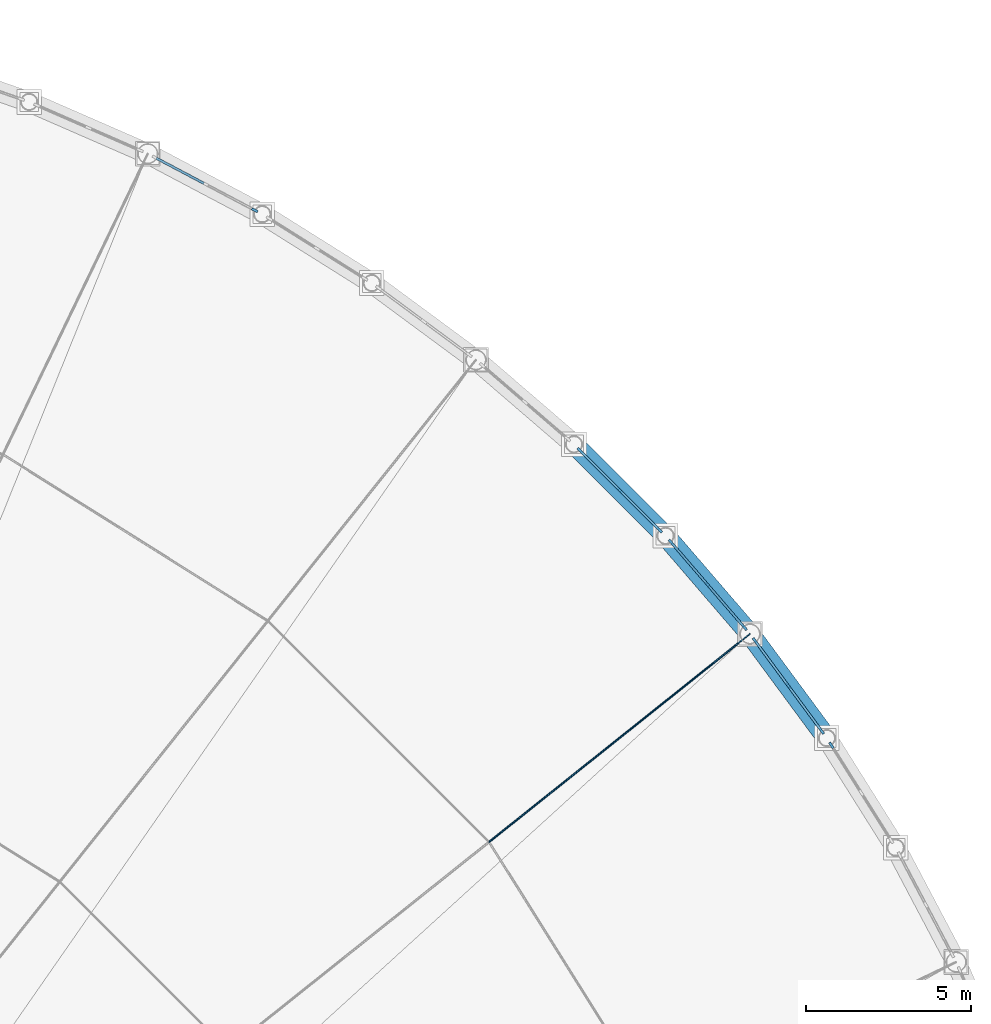
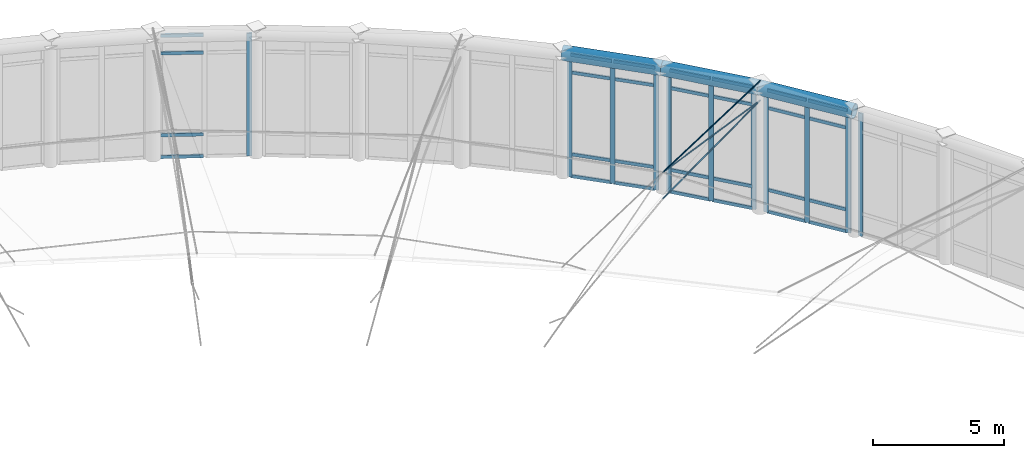
# One storey, part 61 of 101: 42 members, 3 beams, 5 elements without a shape of their own.
"""IFC4 building model written with IfcOpenShell, lengths in metres."""

from ifc_helpers import new_model, si_unit, direction, frame, origin, origin_2d, place, context, subcontext, project, spatial, rectangle, circle, hollow_circle, extrude, material, layer, layer_set, material_profile, profile_set, type_object, element, aggregate, save


model = new_model("IFC4")

# Units and contexts
model_context = context("Model", 3, precision=1e-05, world=origin(), true_north=direction((0.0, 1.0)))
body_context = subcontext(model_context, "Body", "Model", "MODEL_VIEW")
ifc_project = project(units=[si_unit("LENGTHUNIT", "METRE"), si_unit("AREAUNIT", "SQUARE_METRE"), si_unit("VOLUMEUNIT", "CUBIC_METRE"), si_unit("PLANEANGLEUNIT", "RADIAN"), si_unit("MASSUNIT", "GRAM", prefix="KILO"), si_unit("THERMODYNAMICTEMPERATUREUNIT", "KELVIN"), si_unit("POWERUNIT", "WATT")], contexts=[model_context])

# Site, building, storey
site_placement = place(None, origin())
site = spatial("IfcSite", under=ifc_project, at=site_placement, CompositionType="ELEMENT")
building_placement = place(site_placement, origin())
building = spatial("IfcBuilding", under=site, at=building_placement, Name="Tembeka Court Mobility Hub", CompositionType="ELEMENT")
storey_placement = place(building_placement, frame((0.0, 0.0, 5.39990234375)))
storey = spatial("IfcBuildingStorey", under=building, at=storey_placement, Name="L01", CompositionType="ELEMENT", Elevation=5.39990234375)

# Beams
ifc_material_1 = material(Name="Steel S355", Category="steel")
ifc_material_profile_1 = material_profile(ifc_material_1, hollow_circle(Radius=0.304931640625, WallThickness=0.02001953125, at=origin_2d()), Name="CHS 610x20")
ifc_profile_set_1 = profile_set([ifc_material_profile_1], Name="Steel S355")
beam_type = type_object("IfcBeamType", Name="BM-RB01", PredefinedType="BEAM", material=ifc_profile_set_1)
for number, where, z_axis, x_axis, name in (
    (1, (167.277587890625, 95.874267578125, 5.695068359375), (-0.593803415003, 0.804610156741, 0.0), (-0.804610156741, -0.593803415003, 0.0), "Concourse compression ring beam RB01-09"),
    (2, (164.9462890625, 99.033203125, 5.695068359375), (-0.652305893022, 0.757955817926, 0.0), (-0.757955817926, -0.652305893022, 0.0), "Concourse compression ring beam RB01-10"),
    (3, (162.38525390625, 102.009033203125, 5.695068359375), (-0.707106781187, 0.707106781187, 0.0), (-0.707106781187, -0.707106781187, 0.0), "Concourse compression ring beam RB01-11"),
):
    element("IfcBeam", number, at=place(storey_placement, frame(where, z_axis=z_axis, x_axis=x_axis)), inside=storey, type_object=beam_type, Name=name, PredefinedType="BEAM", context=body_context, shape_type="SweptSolid", body=[
        extrude(hollow_circle(Radius=0.304931640625, WallThickness=0.02001953125, at=origin_2d()), origin(), (0.0, 0.0, 1.0), 3.926025390625),
    ])

# Curtain wall, member
ifc_material_2 = material(Name="Anodised aluminium 6063-T6", Category="aluminium")
ifc_layer = layer(ifc_material_2, 0.199951171875)
ifc_layer_set = layer_set([ifc_layer], Name="Anodised aluminium 6063-T6")
curtain_wall_type = type_object("IfcCurtainWallType", Name="CW-SYS25", PredefinedType="USERDEFINED", material=ifc_layer_set)
curtain_wall_1_placement = place(storey_placement, origin())
curtain_wall_1 = element("IfcCurtainWall", 4, at=curtain_wall_1_placement, inside=storey, type_object=curtain_wall_type, Name="Unitised curtain wall CW25 (CW-L01-058)", ObjectType="UNITISED GLAZING", PredefinedType="USERDEFINED")
ifc_material_profile_2 = material_profile(ifc_material_2, rectangle(XDim=0.074951171875, YDim=0.199951171875, at=origin_2d()), Name="ALU-MUL 75x200")
ifc_profile_set_2 = profile_set([ifc_material_profile_2], Name="Anodised aluminium 6063-T6")
member_type_1 = type_object("IfcMemberType", Name="CW-MUL02", PredefinedType="MULLION", material=ifc_profile_set_2)
member_1_placement = place(storey_placement, frame((167.41455078125, 95.65625, 0.0), z_axis=(0.0, 0.0, 1.0), x_axis=(-0.846708179607, -0.532057570744, 0.0)))
member_1 = element("IfcMember", 5, at=member_1_placement, type_object=member_type_1, Name="CW25 mullion 3", PredefinedType="MULLION", context=body_context, shape_type="SweptSolid", body=[
    extrude(rectangle(XDim=0.074951171875, YDim=0.199951171875, at=origin_2d()), origin(), (0.0, 0.0, 1.0), 5.7001953125),
])
aggregate(curtain_wall_1, [member_1])

# Curtain wall, members
curtain_wall_2_placement = place(storey_placement, origin())
curtain_wall_2 = element("IfcCurtainWall", 6, at=curtain_wall_2_placement, inside=storey, type_object=curtain_wall_type, Name="Unitised curtain wall CW25 (CW-L01-060)", ObjectType="UNITISED GLAZING", PredefinedType="USERDEFINED")
member_2_placement = place(storey_placement, frame((167.12451171875, 96.08154296875, 0.0), z_axis=(0.0, 0.0, 1.0), x_axis=(-0.804599206298, -0.593818252688, 0.0)))
member_2 = element("IfcMember", 7, at=member_2_placement, type_object=member_type_1, Name="CW25 mullion 1", PredefinedType="MULLION", context=body_context, shape_type="SweptSolid", body=[
    extrude(rectangle(XDim=0.074951171875, YDim=0.199951171875, at=origin_2d()), origin(), (0.0, 0.0, 1.0), 5.7001953125),
])
member_3_placement = place(storey_placement, frame((166.11181640625, 97.453857421875, 0.0), z_axis=(0.0, 0.0, 1.0), x_axis=(-0.804599206298, -0.593818252688, 0.0)))
member_3 = element("IfcMember", 8, at=member_3_placement, type_object=member_type_1, Name="CW25 mullion 2", PredefinedType="MULLION", context=body_context, shape_type="SweptSolid", body=[
    extrude(rectangle(XDim=0.074951171875, YDim=0.199951171875, at=origin_2d()), origin(), (0.0, 0.0, 1.0), 5.7001953125),
])
member_4_placement = place(storey_placement, frame((165.09912109375, 98.825927734375, 0.0), z_axis=(0.0, 0.0, 1.0), x_axis=(-0.804599206298, -0.593818252688, 0.0)))
member_4 = element("IfcMember", 9, at=member_4_placement, type_object=member_type_1, Name="CW25 mullion 3", PredefinedType="MULLION", context=body_context, shape_type="SweptSolid", body=[
    extrude(rectangle(XDim=0.074951171875, YDim=0.199951171875, at=origin_2d()), origin(), (0.0, 0.0, 1.0), 5.7001953125),
])

curtain_wall_3_placement = place(storey_placement, origin())
curtain_wall_3 = element("IfcCurtainWall", 10, at=curtain_wall_3_placement, inside=storey, type_object=curtain_wall_type, Name="Unitised curtain wall CW25 (CW-L01-062)", ObjectType="UNITISED GLAZING", PredefinedType="USERDEFINED")
member_5_placement = place(storey_placement, frame((164.7783203125, 99.228515625, 0.0), z_axis=(0.0, 0.0, 1.0), x_axis=(-0.757955131428, -0.652306690707, 0.0)))
member_5 = element("IfcMember", 11, at=member_5_placement, type_object=member_type_1, Name="CW25 mullion 1", PredefinedType="MULLION", context=body_context, shape_type="SweptSolid", body=[
    extrude(rectangle(XDim=0.074951171875, YDim=0.199951171875, at=origin_2d()), origin(), (0.0, 0.0, 1.0), 5.7001953125),
])
member_6_placement = place(storey_placement, frame((163.665771484375, 100.521240234375, 0.0), z_axis=(0.0, 0.0, 1.0), x_axis=(-0.757955131428, -0.652306690707, 0.0)))
member_6 = element("IfcMember", 12, at=member_6_placement, type_object=member_type_1, Name="CW25 mullion 2", PredefinedType="MULLION", context=body_context, shape_type="SweptSolid", body=[
    extrude(rectangle(XDim=0.074951171875, YDim=0.199951171875, at=origin_2d()), origin(), (0.0, 0.0, 1.0), 5.7001953125),
])
member_7_placement = place(storey_placement, frame((162.55322265625, 101.81396484375, 0.0), z_axis=(0.0, 0.0, 1.0), x_axis=(-0.757955131428, -0.652306690707, 0.0)))
member_7 = element("IfcMember", 13, at=member_7_placement, type_object=member_type_1, Name="CW25 mullion 3", PredefinedType="MULLION", context=body_context, shape_type="SweptSolid", body=[
    extrude(rectangle(XDim=0.074951171875, YDim=0.199951171875, at=origin_2d()), origin(), (0.0, 0.0, 1.0), 5.7001953125),
])

curtain_wall_4_placement = place(storey_placement, origin())
curtain_wall_4 = element("IfcCurtainWall", 14, at=curtain_wall_4_placement, inside=storey, type_object=curtain_wall_type, Name="Unitised curtain wall CW25 (CW-L01-064)", ObjectType="UNITISED GLAZING", PredefinedType="USERDEFINED")
member_8_placement = place(storey_placement, frame((162.203125, 102.191162109375, 0.0), z_axis=(0.0, 0.0, 1.0), x_axis=(-0.707106781187, -0.707106781187, 0.0)))
member_8 = element("IfcMember", 15, at=member_8_placement, type_object=member_type_1, Name="CW25 mullion 1", PredefinedType="MULLION", context=body_context, shape_type="SweptSolid", body=[
    extrude(rectangle(XDim=0.074951171875, YDim=0.199951171875, at=origin_2d()), origin(), (0.0, 0.0, 1.0), 5.7001953125),
])
member_9_placement = place(storey_placement, frame((160.9970703125, 103.397216796875, 0.0), z_axis=(0.0, 0.0, 1.0), x_axis=(-0.707106781187, -0.707106781187, 0.0)))
member_9 = element("IfcMember", 16, at=member_9_placement, type_object=member_type_1, Name="CW25 mullion 2", PredefinedType="MULLION", context=body_context, shape_type="SweptSolid", body=[
    extrude(rectangle(XDim=0.074951171875, YDim=0.199951171875, at=origin_2d()), origin(), (0.0, 0.0, 1.0), 5.7001953125),
])
member_10_placement = place(storey_placement, frame((159.791259765625, 104.60302734375, 0.0), z_axis=(0.0, 0.0, 1.0), x_axis=(-0.707106781187, -0.707106781187, 0.0)))
member_10 = element("IfcMember", 17, at=member_10_placement, type_object=member_type_1, Name="CW25 mullion 3", PredefinedType="MULLION", context=body_context, shape_type="SweptSolid", body=[
    extrude(rectangle(XDim=0.074951171875, YDim=0.199951171875, at=origin_2d()), origin(), (0.0, 0.0, 1.0), 5.7001953125),
])

# Curtain wall, member
curtain_wall_5_placement = place(storey_placement, origin())
curtain_wall_5 = element("IfcCurtainWall", 18, at=curtain_wall_5_placement, inside=storey, type_object=curtain_wall_type, Name="Unitised curtain wall CW25 (CW-L01-072)", ObjectType="UNITISED GLAZING", PredefinedType="USERDEFINED")
member_11_placement = place(storey_placement, frame((149.92236328125, 111.88671875, 0.0), z_axis=(0.0, 0.0, 1.0), x_axis=(-0.467282662225, -0.884107976202, 0.0)))
member_11 = element("IfcMember", 19, at=member_11_placement, type_object=member_type_1, Name="CW25 mullion 1", PredefinedType="MULLION", context=body_context, shape_type="SweptSolid", body=[
    extrude(rectangle(XDim=0.074951171875, YDim=0.199951171875, at=origin_2d()), origin(), (0.0, 0.0, 1.0), 5.7001953125),
])

# Member
ifc_material_profile_3 = material_profile(ifc_material_2, rectangle(XDim=0.074951171875, YDim=0.14990234375, at=origin_2d()), Name="ALU-TRN 75x150")
ifc_profile_set_3 = profile_set([ifc_material_profile_3], Name="Anodised aluminium 6063-T6")
member_type_2 = type_object("IfcMemberType", Name="CW-TRN02", PredefinedType="USERDEFINED", material=ifc_profile_set_3)
member_12_placement = place(storey_placement, frame((167.102294921875, 96.111572265625, 0.03759765625), z_axis=(-0.593801527186, 0.804611549949, 0.0), x_axis=(-0.804611549949, -0.593801527186, 0.0)))
member_12 = element("IfcMember", 20, at=member_12_placement, type_object=member_type_2, Name="CW25 transom 1.1", ObjectType="TRANSOM", PredefinedType="USERDEFINED", context=body_context, shape_type="SweptSolid", body=[
    extrude(rectangle(XDim=0.074951171875, YDim=0.14990234375, at=origin_2d()), origin(), (0.0, 0.0, 1.0), 1.630615234375),
])

member_13_placement = place(storey_placement, frame((167.102294921875, 96.111572265625, 1.050048828125), z_axis=(-0.593801527186, 0.804611549949, 0.0), x_axis=(-0.804611549949, -0.593801527186, 0.0)))
member_13 = element("IfcMember", 21, at=member_13_placement, type_object=member_type_2, Name="CW25 transom 1.2", ObjectType="TRANSOM", PredefinedType="USERDEFINED", context=body_context, shape_type="SweptSolid", body=[
    extrude(rectangle(XDim=0.074951171875, YDim=0.14990234375, at=origin_2d()), origin(), (0.0, 0.0, 1.0), 1.630615234375),
])

member_14_placement = place(storey_placement, frame((167.102294921875, 96.111572265625, 4.85009765625), z_axis=(-0.593801527186, 0.804611549949, 0.0), x_axis=(-0.804611549949, -0.593801527186, 0.0)))
member_14 = element("IfcMember", 22, at=member_14_placement, type_object=member_type_2, Name="CW25 transom 1.3", ObjectType="TRANSOM", PredefinedType="USERDEFINED", context=body_context, shape_type="SweptSolid", body=[
    extrude(rectangle(XDim=0.074951171875, YDim=0.14990234375, at=origin_2d()), origin(), (0.0, 0.0, 1.0), 1.630615234375),
])

member_15_placement = place(storey_placement, frame((167.102294921875, 96.111572265625, 5.66259765625), z_axis=(-0.593801527186, 0.804611549949, 0.0), x_axis=(-0.804611549949, -0.593801527186, 0.0)))
member_15 = element("IfcMember", 23, at=member_15_placement, type_object=member_type_2, Name="CW25 transom 1.4", ObjectType="TRANSOM", PredefinedType="USERDEFINED", context=body_context, shape_type="SweptSolid", body=[
    extrude(rectangle(XDim=0.074951171875, YDim=0.14990234375, at=origin_2d()), origin(), (0.0, 0.0, 1.0), 1.630615234375),
])

member_16_placement = place(storey_placement, frame((166.089599609375, 97.48388671875, 0.03759765625), z_axis=(-0.593801527186, 0.804611549949, 0.0), x_axis=(-0.804611549949, -0.593801527186, 0.0)))
member_16 = element("IfcMember", 24, at=member_16_placement, type_object=member_type_2, Name="CW25 transom 2.1", ObjectType="TRANSOM", PredefinedType="USERDEFINED", context=body_context, shape_type="SweptSolid", body=[
    extrude(rectangle(XDim=0.074951171875, YDim=0.14990234375, at=origin_2d()), origin(), (0.0, 0.0, 1.0), 1.630615234375),
])

member_17_placement = place(storey_placement, frame((166.089599609375, 97.48388671875, 1.050048828125), z_axis=(-0.593801527186, 0.804611549949, 0.0), x_axis=(-0.804611549949, -0.593801527186, 0.0)))
member_17 = element("IfcMember", 25, at=member_17_placement, type_object=member_type_2, Name="CW25 transom 2.2", ObjectType="TRANSOM", PredefinedType="USERDEFINED", context=body_context, shape_type="SweptSolid", body=[
    extrude(rectangle(XDim=0.074951171875, YDim=0.14990234375, at=origin_2d()), origin(), (0.0, 0.0, 1.0), 1.630615234375),
])

member_18_placement = place(storey_placement, frame((166.089599609375, 97.48388671875, 4.85009765625), z_axis=(-0.593801527186, 0.804611549949, 0.0), x_axis=(-0.804611549949, -0.593801527186, 0.0)))
member_18 = element("IfcMember", 26, at=member_18_placement, type_object=member_type_2, Name="CW25 transom 2.3", ObjectType="TRANSOM", PredefinedType="USERDEFINED", context=body_context, shape_type="SweptSolid", body=[
    extrude(rectangle(XDim=0.074951171875, YDim=0.14990234375, at=origin_2d()), origin(), (0.0, 0.0, 1.0), 1.630615234375),
])

member_19_placement = place(storey_placement, frame((166.089599609375, 97.48388671875, 5.66259765625), z_axis=(-0.593801527186, 0.804611549949, 0.0), x_axis=(-0.804611549949, -0.593801527186, 0.0)))
member_19 = element("IfcMember", 27, at=member_19_placement, type_object=member_type_2, Name="CW25 transom 2.4", ObjectType="TRANSOM", PredefinedType="USERDEFINED", context=body_context, shape_type="SweptSolid", body=[
    extrude(rectangle(XDim=0.074951171875, YDim=0.14990234375, at=origin_2d()), origin(), (0.0, 0.0, 1.0), 1.630615234375),
])

aggregate(curtain_wall_2, [member_2, member_3, member_4, member_12, member_13, member_14, member_15, member_16, member_17, member_18, member_19])

member_20_placement = place(storey_placement, frame((164.753662109375, 99.2568359375, 0.03759765625), z_axis=(-0.65226992658, 0.757986769594, 0.0), x_axis=(-0.757986769594, -0.65226992658, 0.0)))
member_20 = element("IfcMember", 28, at=member_20_placement, type_object=member_type_2, Name="CW25 transom 1.1", ObjectType="TRANSOM", PredefinedType="USERDEFINED", context=body_context, shape_type="SweptSolid", body=[
    extrude(rectangle(XDim=0.074951171875, YDim=0.14990234375, at=origin_2d()), origin(), (0.0, 0.0, 1.0), 1.63037109375),
])

member_21_placement = place(storey_placement, frame((164.753662109375, 99.2568359375, 1.050048828125), z_axis=(-0.65226992658, 0.757986769594, 0.0), x_axis=(-0.757986769594, -0.65226992658, 0.0)))
member_21 = element("IfcMember", 29, at=member_21_placement, type_object=member_type_2, Name="CW25 transom 1.2", ObjectType="TRANSOM", PredefinedType="USERDEFINED", context=body_context, shape_type="SweptSolid", body=[
    extrude(rectangle(XDim=0.074951171875, YDim=0.14990234375, at=origin_2d()), origin(), (0.0, 0.0, 1.0), 1.63037109375),
])

member_22_placement = place(storey_placement, frame((164.753662109375, 99.2568359375, 4.85009765625), z_axis=(-0.65226992658, 0.757986769594, 0.0), x_axis=(-0.757986769594, -0.65226992658, 0.0)))
member_22 = element("IfcMember", 30, at=member_22_placement, type_object=member_type_2, Name="CW25 transom 1.3", ObjectType="TRANSOM", PredefinedType="USERDEFINED", context=body_context, shape_type="SweptSolid", body=[
    extrude(rectangle(XDim=0.074951171875, YDim=0.14990234375, at=origin_2d()), origin(), (0.0, 0.0, 1.0), 1.63037109375),
])

member_23_placement = place(storey_placement, frame((164.753662109375, 99.2568359375, 5.66259765625), z_axis=(-0.65226992658, 0.757986769594, 0.0), x_axis=(-0.757986769594, -0.65226992658, 0.0)))
member_23 = element("IfcMember", 31, at=member_23_placement, type_object=member_type_2, Name="CW25 transom 1.4", ObjectType="TRANSOM", PredefinedType="USERDEFINED", context=body_context, shape_type="SweptSolid", body=[
    extrude(rectangle(XDim=0.074951171875, YDim=0.14990234375, at=origin_2d()), origin(), (0.0, 0.0, 1.0), 1.63037109375),
])

member_24_placement = place(storey_placement, frame((163.641357421875, 100.549560546875, 0.03759765625), z_axis=(-0.652355946515, 0.757912738412, 0.0), x_axis=(-0.757912738412, -0.652355946515, 0.0)))
member_24 = element("IfcMember", 32, at=member_24_placement, type_object=member_type_2, Name="CW25 transom 2.1", ObjectType="TRANSOM", PredefinedType="USERDEFINED", context=body_context, shape_type="SweptSolid", body=[
    extrude(rectangle(XDim=0.074951171875, YDim=0.14990234375, at=origin_2d()), origin(), (0.0, 0.0, 1.0), 1.630615234375),
])

member_25_placement = place(storey_placement, frame((163.641357421875, 100.549560546875, 1.050048828125), z_axis=(-0.652355946515, 0.757912738412, 0.0), x_axis=(-0.757912738412, -0.652355946515, 0.0)))
member_25 = element("IfcMember", 33, at=member_25_placement, type_object=member_type_2, Name="CW25 transom 2.2", ObjectType="TRANSOM", PredefinedType="USERDEFINED", context=body_context, shape_type="SweptSolid", body=[
    extrude(rectangle(XDim=0.074951171875, YDim=0.14990234375, at=origin_2d()), origin(), (0.0, 0.0, 1.0), 1.630615234375),
])

member_26_placement = place(storey_placement, frame((163.641357421875, 100.549560546875, 4.85009765625), z_axis=(-0.652355946515, 0.757912738412, 0.0), x_axis=(-0.757912738412, -0.652355946515, 0.0)))
member_26 = element("IfcMember", 34, at=member_26_placement, type_object=member_type_2, Name="CW25 transom 2.3", ObjectType="TRANSOM", PredefinedType="USERDEFINED", context=body_context, shape_type="SweptSolid", body=[
    extrude(rectangle(XDim=0.074951171875, YDim=0.14990234375, at=origin_2d()), origin(), (0.0, 0.0, 1.0), 1.630615234375),
])

member_27_placement = place(storey_placement, frame((163.641357421875, 100.549560546875, 5.66259765625), z_axis=(-0.652355946515, 0.757912738412, 0.0), x_axis=(-0.757912738412, -0.652355946515, 0.0)))
member_27 = element("IfcMember", 35, at=member_27_placement, type_object=member_type_2, Name="CW25 transom 2.4", ObjectType="TRANSOM", PredefinedType="USERDEFINED", context=body_context, shape_type="SweptSolid", body=[
    extrude(rectangle(XDim=0.074951171875, YDim=0.14990234375, at=origin_2d()), origin(), (0.0, 0.0, 1.0), 1.630615234375),
])

aggregate(curtain_wall_3, [member_5, member_6, member_7, member_20, member_21, member_22, member_23, member_24, member_25, member_26, member_27])

member_28_placement = place(storey_placement, frame((162.176513671875, 102.2177734375, 0.03759765625), z_axis=(-0.707106781187, 0.707106781187, 0.0), x_axis=(-0.707106781187, -0.707106781187, 0.0)))
member_28 = element("IfcMember", 36, at=member_28_placement, type_object=member_type_2, Name="CW25 transom 1.1", ObjectType="TRANSOM", PredefinedType="USERDEFINED", context=body_context, shape_type="SweptSolid", body=[
    extrude(rectangle(XDim=0.074951171875, YDim=0.14990234375, at=origin_2d()), origin(), (0.0, 0.0, 1.0), 1.63037109375),
])

member_29_placement = place(storey_placement, frame((162.176513671875, 102.2177734375, 1.050048828125), z_axis=(-0.707106781187, 0.707106781187, 0.0), x_axis=(-0.707106781187, -0.707106781187, 0.0)))
member_29 = element("IfcMember", 37, at=member_29_placement, type_object=member_type_2, Name="CW25 transom 1.2", ObjectType="TRANSOM", PredefinedType="USERDEFINED", context=body_context, shape_type="SweptSolid", body=[
    extrude(rectangle(XDim=0.074951171875, YDim=0.14990234375, at=origin_2d()), origin(), (0.0, 0.0, 1.0), 1.63037109375),
])

member_30_placement = place(storey_placement, frame((162.176513671875, 102.2177734375, 4.85009765625), z_axis=(-0.707106781187, 0.707106781187, 0.0), x_axis=(-0.707106781187, -0.707106781187, 0.0)))
member_30 = element("IfcMember", 38, at=member_30_placement, type_object=member_type_2, Name="CW25 transom 1.3", ObjectType="TRANSOM", PredefinedType="USERDEFINED", context=body_context, shape_type="SweptSolid", body=[
    extrude(rectangle(XDim=0.074951171875, YDim=0.14990234375, at=origin_2d()), origin(), (0.0, 0.0, 1.0), 1.63037109375),
])

member_31_placement = place(storey_placement, frame((162.176513671875, 102.2177734375, 5.66259765625), z_axis=(-0.707106781187, 0.707106781187, 0.0), x_axis=(-0.707106781187, -0.707106781187, 0.0)))
member_31 = element("IfcMember", 39, at=member_31_placement, type_object=member_type_2, Name="CW25 transom 1.4", ObjectType="TRANSOM", PredefinedType="USERDEFINED", context=body_context, shape_type="SweptSolid", body=[
    extrude(rectangle(XDim=0.074951171875, YDim=0.14990234375, at=origin_2d()), origin(), (0.0, 0.0, 1.0), 1.63037109375),
])

member_32_placement = place(storey_placement, frame((160.970703125, 103.423583984375, 0.03759765625), z_axis=(-0.707106781187, 0.707106781187, 0.0), x_axis=(-0.707106781187, -0.707106781187, 0.0)))
member_32 = element("IfcMember", 40, at=member_32_placement, type_object=member_type_2, Name="CW25 transom 2.1", ObjectType="TRANSOM", PredefinedType="USERDEFINED", context=body_context, shape_type="SweptSolid", body=[
    extrude(rectangle(XDim=0.074951171875, YDim=0.14990234375, at=origin_2d()), origin(), (0.0, 0.0, 1.0), 1.630615234375),
])

member_33_placement = place(storey_placement, frame((160.970703125, 103.423583984375, 1.050048828125), z_axis=(-0.707106781187, 0.707106781187, 0.0), x_axis=(-0.707106781187, -0.707106781187, 0.0)))
member_33 = element("IfcMember", 41, at=member_33_placement, type_object=member_type_2, Name="CW25 transom 2.2", ObjectType="TRANSOM", PredefinedType="USERDEFINED", context=body_context, shape_type="SweptSolid", body=[
    extrude(rectangle(XDim=0.074951171875, YDim=0.14990234375, at=origin_2d()), origin(), (0.0, 0.0, 1.0), 1.630615234375),
])

member_34_placement = place(storey_placement, frame((160.970703125, 103.423583984375, 4.85009765625), z_axis=(-0.707106781187, 0.707106781187, 0.0), x_axis=(-0.707106781187, -0.707106781187, 0.0)))
member_34 = element("IfcMember", 42, at=member_34_placement, type_object=member_type_2, Name="CW25 transom 2.3", ObjectType="TRANSOM", PredefinedType="USERDEFINED", context=body_context, shape_type="SweptSolid", body=[
    extrude(rectangle(XDim=0.074951171875, YDim=0.14990234375, at=origin_2d()), origin(), (0.0, 0.0, 1.0), 1.630615234375),
])

member_35_placement = place(storey_placement, frame((160.970703125, 103.423583984375, 5.66259765625), z_axis=(-0.707106781187, 0.707106781187, 0.0), x_axis=(-0.707106781187, -0.707106781187, 0.0)))
member_35 = element("IfcMember", 43, at=member_35_placement, type_object=member_type_2, Name="CW25 transom 2.4", ObjectType="TRANSOM", PredefinedType="USERDEFINED", context=body_context, shape_type="SweptSolid", body=[
    extrude(rectangle(XDim=0.074951171875, YDim=0.14990234375, at=origin_2d()), origin(), (0.0, 0.0, 1.0), 1.630615234375),
])

aggregate(curtain_wall_4, [member_8, member_9, member_10, member_28, member_29, member_30, member_31, member_32, member_33, member_34, member_35])

member_36_placement = place(storey_placement, frame((148.38134765625, 112.701171875, 0.03759765625), z_axis=(-0.884108194954, 0.467282248341, 0.0), x_axis=(-0.467282248341, -0.884108194954, 0.0)))
member_36 = element("IfcMember", 44, at=member_36_placement, type_object=member_type_2, Name="CW25 transom 2.1", ObjectType="TRANSOM", PredefinedType="USERDEFINED", context=body_context, shape_type="SweptSolid", body=[
    extrude(rectangle(XDim=0.074951171875, YDim=0.14990234375, at=origin_2d()), origin(), (0.0, 0.0, 1.0), 1.630615234375),
])

member_37_placement = place(storey_placement, frame((148.38134765625, 112.701171875, 1.050048828125), z_axis=(-0.884108194954, 0.467282248341, 0.0), x_axis=(-0.467282248341, -0.884108194954, 0.0)))
member_37 = element("IfcMember", 45, at=member_37_placement, type_object=member_type_2, Name="CW25 transom 2.2", ObjectType="TRANSOM", PredefinedType="USERDEFINED", context=body_context, shape_type="SweptSolid", body=[
    extrude(rectangle(XDim=0.074951171875, YDim=0.14990234375, at=origin_2d()), origin(), (0.0, 0.0, 1.0), 1.630615234375),
])

member_38_placement = place(storey_placement, frame((148.38134765625, 112.701171875, 4.85009765625), z_axis=(-0.884108194954, 0.467282248341, 0.0), x_axis=(-0.467282248341, -0.884108194954, 0.0)))
member_38 = element("IfcMember", 46, at=member_38_placement, type_object=member_type_2, Name="CW25 transom 2.3", ObjectType="TRANSOM", PredefinedType="USERDEFINED", context=body_context, shape_type="SweptSolid", body=[
    extrude(rectangle(XDim=0.074951171875, YDim=0.14990234375, at=origin_2d()), origin(), (0.0, 0.0, 1.0), 1.630615234375),
])

member_39_placement = place(storey_placement, frame((148.38134765625, 112.701171875, 5.66259765625), z_axis=(-0.884108194954, 0.467282248341, 0.0), x_axis=(-0.467282248341, -0.884108194954, 0.0)))
member_39 = element("IfcMember", 47, at=member_39_placement, type_object=member_type_2, Name="CW25 transom 2.4", ObjectType="TRANSOM", PredefinedType="USERDEFINED", context=body_context, shape_type="SweptSolid", body=[
    extrude(rectangle(XDim=0.074951171875, YDim=0.14990234375, at=origin_2d()), origin(), (0.0, 0.0, 1.0), 1.630615234375),
])

aggregate(curtain_wall_5, [member_11, member_36, member_37, member_38, member_39])

# Members
ifc_material_3 = material(Name="Steel S460", Category="steel")
ifc_material_profile_4 = material_profile(ifc_material_3, circle(Radius=0.031982421875, at=origin_2d()), Name="CABLE D64")
ifc_profile_set_4 = profile_set([ifc_material_profile_4], Name="Steel S460")
member_type_3 = type_object("IfcMemberType", Name="MEM-CB01", PredefinedType="USERDEFINED", material=ifc_profile_set_4)
member_40_placement = place(storey_placement, frame((157.030029296875, 92.720458984375, 8.35009765625), z_axis=(0.761598373655, 0.607329194991, -0.226095480179), x_axis=(-0.623473962748, 0.781844113475, 0.0)))
element("IfcMember", 48, at=member_40_placement, inside=storey, type_object=member_type_3, Name="Concourse radial ridge cable CB01-4-4", ObjectType="CABLE", PredefinedType="USERDEFINED", context=body_context, shape_type="SweptSolid", body=[
    extrude(circle(Radius=0.031982421875, at=origin_2d()), origin(), (0.0, 0.0, 1.0), 10.394287109375),
])
ifc_material_profile_5 = material_profile(ifc_material_3, circle(Radius=0.02392578125, at=origin_2d()), Name="CABLE D48")
ifc_profile_set_5 = profile_set([ifc_material_profile_5], Name="Steel S460")
member_type_4 = type_object("IfcMemberType", Name="MEM-CB02", PredefinedType="USERDEFINED", material=ifc_profile_set_5)
member_41_placement = place(storey_placement, frame((157.030029296875, 92.720458984375, 7.125), z_axis=(0.766662979255, 0.611367915331, -0.196104942172), x_axis=(-0.623473962748, 0.781844113475, 0.0)))
element("IfcMember", 49, at=member_41_placement, inside=storey, type_object=member_type_4, Name="Concourse radial valley cable CB02-4-4", ObjectType="CABLE", PredefinedType="USERDEFINED", context=body_context, shape_type="SweptSolid", body=[
    extrude(circle(Radius=0.02392578125, at=origin_2d()), origin(), (0.0, 0.0, 1.0), 10.32568359375),
])
ifc_material_profile_6 = material_profile(ifc_material_3, circle(Radius=0.01806640625, at=origin_2d()), Name="CABLE D36")
ifc_profile_set_6 = profile_set([ifc_material_profile_6], Name="Steel S460")
member_type_5 = type_object("IfcMemberType", Name="MEM-CB03", PredefinedType="USERDEFINED", material=ifc_profile_set_6)
member_42_placement = place(storey_placement, frame((157.030029296875, 92.720458984375, 8.35009765625), z_axis=(0.744434265149, 0.59364184407, -0.30562556477), x_axis=(-0.623473962748, 0.781844113475, 0.0)))
element("IfcMember", 50, at=member_42_placement, inside=storey, type_object=member_type_5, Name="Concourse Jawerth web cable CB03-4-4", ObjectType="CABLE", PredefinedType="USERDEFINED", context=body_context, shape_type="SweptSolid", body=[
    extrude(circle(Radius=0.01806640625, at=origin_2d()), origin(), (0.0, 0.0, 1.0), 10.634033203125),
])

save(model, "model.ifc")
